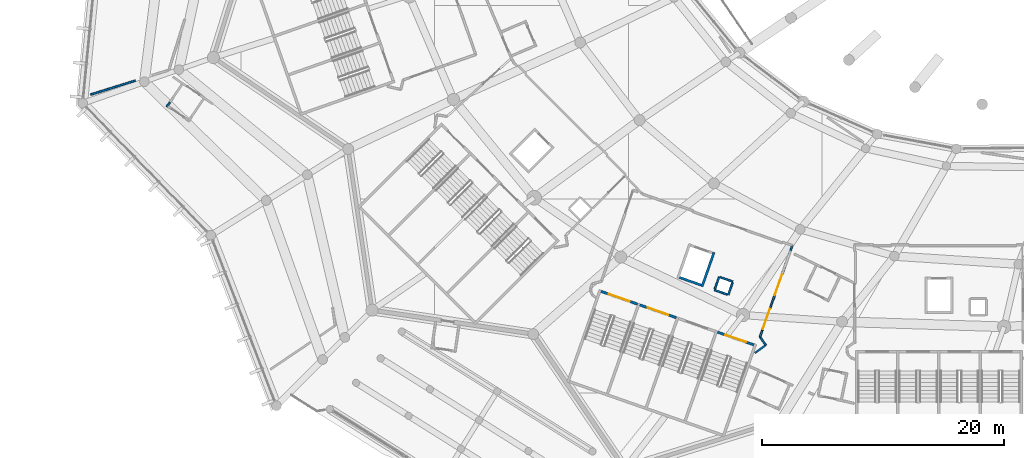
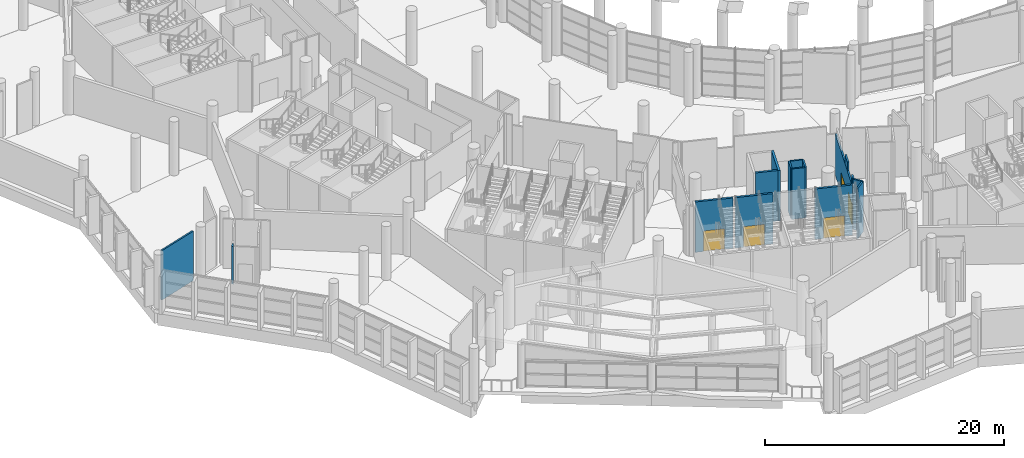
# One storey, part 158 of 271: 16 walls, 5 doors, 5 openings.
"""IFC4 building model written with IfcOpenShell, lengths in metres."""

from ifc_helpers import new_model, si_unit, direction, frame, frame_2d, origin, place, context, subcontext, project, spatial, rectangle, extrude, material, layer, layer_set, type_object, element, fill, save


model = new_model("IFC4")

# Units and contexts
model_context = context("Model", 3, precision=1e-05, world=origin(), true_north=direction((0.0, 1.0)))
body_context = subcontext(model_context, "Body", "Model", "MODEL_VIEW")
ifc_project = project(units=[si_unit("LENGTHUNIT", "METRE"), si_unit("AREAUNIT", "SQUARE_METRE"), si_unit("VOLUMEUNIT", "CUBIC_METRE"), si_unit("PLANEANGLEUNIT", "RADIAN"), si_unit("MASSUNIT", "GRAM", prefix="KILO")], contexts=[model_context])

# Site, building, storey
site_placement = place(None, origin())
site = spatial("IfcSite", under=ifc_project, at=site_placement, CompositionType="ELEMENT")
building_placement = place(site_placement, origin())
building = spatial("IfcBuilding", under=site, at=building_placement, Name="Meseta Stadium", CompositionType="ELEMENT")
storey_placement = place(building_placement, frame((0.0, 0.0, 6.5)))
storey = spatial("IfcBuildingStorey", under=building, at=storey_placement, Name="L01", CompositionType="ELEMENT", Elevation=6.5)

# Wall, opening, door
ifc_material_1 = material(Name="Concrete C40/50", Category="concrete")
ifc_layer_1 = layer(ifc_material_1, 0.199951171875)
ifc_layer_set_1 = layer_set([ifc_layer_1], Name="Core shaft wall 200")
wall_type_1 = type_object("IfcWallType", Name="Core shaft wall 200", PredefinedType="SHEAR", material=ifc_layer_set_1)
wall_1_placement = place(storey_placement, frame((-66.26171875, -87.618896484375, 0.0), z_axis=(0.0, 0.0, 1.0), x_axis=(0.943878576031, -0.330292648585, 0.0)))
wall_1 = element("IfcWall", 1, at=wall_1_placement, inside=storey, type_object=wall_type_1, Name="Core 22 L01 stair A1 inner end wall", PredefinedType="SHEAR", context=body_context, shape_type="SweptSolid", body=[
    extrude(rectangle(XDim=3.199951171875, YDim=0.199951171875, at=frame_2d((1.60009765625, 0.0))), origin(), (0.0, 0.0, 1.0), 5.14990234375),
])
opening_1_placement = place(wall_1_placement, frame((0.699951171875, 0.0, 0.0)))
opening_1 = element("IfcOpeningElement", 2, at=opening_1_placement, cuts=wall_1, Name="Opening D301", PredefinedType="OPENING", context=body_context, shape_type="SweptSolid", body=[
    extrude(rectangle(XDim=1.800048828125, YDim=2.10009765625, at=frame_2d((0.89990234375, 1.050048828125))), frame((0.0, 0.10986328125, 0.0), z_axis=(0.0, -1.0, 0.0), x_axis=(1.0, 0.0, 0.0)), (0.0, 0.0, 1.0), 0.219970703125),
])
ifc_material_2 = material(Name="Steel", Category="steel")
door_type_1 = type_object("IfcDoorType", Name="Stair door 1800x2100", OperationType="DOUBLE_DOOR_SINGLE_SWING", PredefinedType="DOOR", material=ifc_material_2)
door_1_placement = place(opening_1_placement, origin())
door_1 = element("IfcDoor", 3, at=door_1_placement, inside=storey, type_object=door_type_1, Name="Stair A1 door 22 L01", OperationType="DOUBLE_DOOR_SINGLE_SWING", OverallHeight=2.10009765625, OverallWidth=1.800048828125, PredefinedType="DOOR", context=body_context, shape_type="SweptSolid", body=[
    extrude(rectangle(XDim=1.800048828125, YDim=2.10009765625, at=frame_2d((0.89990234375, 1.050048828125))), frame((0.0, 0.02490234375, 0.0), z_axis=(0.0, -1.0, 0.0), x_axis=(1.0, 0.0, 0.0)), (0.0, 0.0, 1.0), 0.050048828125),
])
fill(opening_1, door_1)

wall_2_placement = place(storey_placement, frame((-63.052490234375, -88.741943359375, 0.0), z_axis=(0.0, 0.0, 1.0), x_axis=(0.943878576031, -0.330292648585, 0.0)))
wall_2 = element("IfcWall", 4, at=wall_2_placement, inside=storey, type_object=wall_type_1, Name="Core 22 L01 stair A2 inner end wall", PredefinedType="SHEAR", context=body_context, shape_type="SweptSolid", body=[
    extrude(rectangle(XDim=3.199951171875, YDim=0.199951171875, at=frame_2d((1.60009765625, 0.0))), origin(), (0.0, 0.0, 1.0), 5.14990234375),
])
opening_2_placement = place(wall_2_placement, frame((0.699951171875, 0.0, 0.0)))
opening_2 = element("IfcOpeningElement", 5, at=opening_2_placement, cuts=wall_2, Name="Opening D302", PredefinedType="OPENING", context=body_context, shape_type="SweptSolid", body=[
    extrude(rectangle(XDim=1.800048828125, YDim=2.10009765625, at=frame_2d((0.89990234375, 1.050048828125))), frame((0.0, 0.10986328125, 0.0), z_axis=(0.0, -1.0, 0.0), x_axis=(1.0, 0.0, 0.0)), (0.0, 0.0, 1.0), 0.219970703125),
])
door_2_placement = place(opening_2_placement, origin())
door_2 = element("IfcDoor", 6, at=door_2_placement, inside=storey, type_object=door_type_1, Name="Stair A2 door 22 L01", OperationType="DOUBLE_DOOR_SINGLE_SWING", OverallHeight=2.10009765625, OverallWidth=1.800048828125, PredefinedType="DOOR", context=body_context, shape_type="SweptSolid", body=[
    extrude(rectangle(XDim=1.800048828125, YDim=2.10009765625, at=frame_2d((0.89990234375, 1.050048828125))), frame((0.0, 0.02490234375, 0.0), z_axis=(0.0, -1.0, 0.0), x_axis=(1.0, 0.0, 0.0)), (0.0, 0.0, 1.0), 0.050048828125),
])
fill(opening_2, door_2)

wall_3_placement = place(storey_placement, frame((-56.63427734375, -90.98779296875, 0.0), z_axis=(0.0, 0.0, 1.0), x_axis=(0.943886898693, -0.330268863922, 0.0)))
wall_3 = element("IfcWall", 7, at=wall_3_placement, inside=storey, type_object=wall_type_1, Name="Core 22 L01 stair B2 inner end wall", PredefinedType="SHEAR", context=body_context, shape_type="SweptSolid", body=[
    extrude(rectangle(XDim=3.2001953125, YDim=0.199951171875, at=frame_2d((1.60009765625, 0.0))), origin(), (0.0, 0.0, 1.0), 5.14990234375),
])
opening_3_placement = place(wall_3_placement, frame((0.699951171875, 0.0, 0.0)))
opening_3 = element("IfcOpeningElement", 8, at=opening_3_placement, cuts=wall_3, Name="Opening D304", PredefinedType="OPENING", context=body_context, shape_type="SweptSolid", body=[
    extrude(rectangle(XDim=1.800048828125, YDim=2.10009765625, at=frame_2d((0.89990234375, 1.050048828125))), frame((0.0, 0.10986328125, 0.0), z_axis=(0.0, -1.0, 0.0), x_axis=(1.0, 0.0, 0.0)), (0.0, 0.0, 1.0), 0.219970703125),
])
door_3_placement = place(opening_3_placement, origin())
door_3 = element("IfcDoor", 9, at=door_3_placement, inside=storey, type_object=door_type_1, Name="Stair B2 door 22 L01", OperationType="DOUBLE_DOOR_SINGLE_SWING", OverallHeight=2.10009765625, OverallWidth=1.800048828125, PredefinedType="DOOR", context=body_context, shape_type="SweptSolid", body=[
    extrude(rectangle(XDim=1.800048828125, YDim=2.10009765625, at=frame_2d((0.89990234375, 1.050048828125))), frame((0.0, 0.02490234375, 0.0), z_axis=(0.0, -1.0, 0.0), x_axis=(1.0, 0.0, 0.0)), (0.0, 0.0, 1.0), 0.050048828125),
])
fill(opening_3, door_3)

# Walls
wall_4_placement = place(storey_placement, frame((-57.9140625, -87.227294921875, 0.0), z_axis=(0.0, 0.0, 1.0), x_axis=(0.330328674497, 0.943865968666, 0.0)))
element("IfcWall", 10, at=wall_4_placement, inside=storey, type_object=wall_type_1, Name="Core 22 L01 lift shaft wall right", PredefinedType="SHEAR", context=body_context, shape_type="SweptSolid", body=[
    extrude(rectangle(XDim=3.0, YDim=0.199951171875, at=frame_2d((1.5, 0.0))), origin(), (0.0, 0.0, 1.0), 5.14990234375),
])
wall_5_placement = place(storey_placement, frame((-59.768798828125, -86.472412109375, 0.0), z_axis=(0.0, 0.0, 1.0), x_axis=(0.943862362559, -0.330338978239, 0.0)))
element("IfcWall", 11, at=wall_5_placement, inside=storey, type_object=wall_type_1, Name="Core 22 L01 lift shaft back wall", PredefinedType="SHEAR", context=body_context, shape_type="SweptSolid", body=[
    extrude(rectangle(XDim=1.900146484375, YDim=0.199951171875, at=frame_2d((0.9501953125, 0.0))), origin(), (0.0, 0.0, 1.0), 5.14990234375),
])
ifc_material_3 = material(Name="Masonry blockwork", Category="masonry")
ifc_layer_2 = layer(ifc_material_3, 0.14990234375)
ifc_layer_set_2 = layer_set([ifc_layer_2], Name="Partition 150")
wall_type_2 = type_object("IfcWallType", Name="Partition 150", PredefinedType="PARTITIONING", material=ifc_layer_set_2)
wall_6_placement = place(storey_placement, frame((-104.73828125, -70.2021484375, 0.0), z_axis=(0.0, 0.0, 1.0), x_axis=(-0.954198313531, -0.299174829247, 0.0)))
element("IfcWall", 12, at=wall_6_placement, inside=storey, type_object=wall_type_2, Name="Partition L01 L01-ring18-0", PredefinedType="PARTITIONING", context=body_context, shape_type="SweptSolid", body=[
    extrude(rectangle(XDim=3.876953125, YDim=0.14990234375, at=frame_2d((1.9384765625, 0.0))), origin(), (0.0, 0.0, 1.0), 5.050048828125),
])
wall_7_placement = place(storey_placement, frame((-56.87451171875, -87.51171875, 0.0), z_axis=(0.0, 0.0, 1.0), x_axis=(0.943868506598, -0.330321422636, 0.0)))
element("IfcWall", 13, at=wall_7_placement, inside=storey, type_object=wall_type_2, Name="Pressurisation shaft wall L01 core 22", PredefinedType="PARTITIONING", context=body_context, shape_type="SweptSolid", body=[
    extrude(rectangle(XDim=1.125, YDim=0.14990234375, at=frame_2d((0.5625, 0.0))), origin(), (0.0, 0.0, 1.0), 5.14990234375),
])
wall_8_placement = place(storey_placement, frame((-55.741943359375, -87.907958984375, 0.0), z_axis=(0.0, 0.0, 1.0), x_axis=(0.330229022821, 0.94390083827, 0.0)))
element("IfcWall", 14, at=wall_8_placement, inside=storey, type_object=wall_type_2, Name="Pressurisation shaft wall L01 core 22", PredefinedType="PARTITIONING", context=body_context, shape_type="SweptSolid", body=[
    extrude(rectangle(XDim=1.074951171875, YDim=0.14990234375, at=frame_2d((0.53759765625, 0.0))), origin(), (0.0, 0.0, 1.0), 5.14990234375),
])
wall_9_placement = place(storey_placement, frame((-55.362060546875, -86.822509765625, 0.0), z_axis=(0.0, 0.0, 1.0), x_axis=(-0.94389218008, 0.330253769674, 0.0)))
element("IfcWall", 15, at=wall_9_placement, inside=storey, type_object=wall_type_2, Name="Pressurisation shaft wall L01 core 22", PredefinedType="PARTITIONING", context=body_context, shape_type="SweptSolid", body=[
    extrude(rectangle(XDim=1.125244140625, YDim=0.14990234375, at=frame_2d((0.5625, 0.0))), origin(), (0.0, 0.0, 1.0), 5.14990234375),
])
wall_10_placement = place(storey_placement, frame((-56.49462890625, -86.42626953125, 0.0), z_axis=(0.0, 0.0, 1.0), x_axis=(-0.330431350225, -0.943830028548, 0.0)))
element("IfcWall", 16, at=wall_10_placement, inside=storey, type_object=wall_type_2, Name="Pressurisation shaft wall L01 core 22", PredefinedType="PARTITIONING", context=body_context, shape_type="SweptSolid", body=[
    extrude(rectangle(XDim=1.074951171875, YDim=0.14990234375, at=frame_2d((0.53759765625, 0.0))), origin(), (0.0, 0.0, 1.0), 5.14990234375),
])
wall_11_placement = place(storey_placement, frame((-53.544921875, -92.725341796875, 0.0), z_axis=(0.0, 0.0, 1.0), x_axis=(0.803518845317, 0.595279316977, 0.0)))
element("IfcWall", 17, at=wall_11_placement, inside=storey, type_object=wall_type_2, Name="Stair vestibule wall L01 core 22", PredefinedType="PARTITIONING", context=body_context, shape_type="SweptSolid", body=[
    extrude(rectangle(XDim=1.1279296875, YDim=0.14990234375, at=frame_2d((0.56396484375, 0.0))), origin(), (0.0, 0.0, 1.0), 5.14990234375),
])
wall_12_placement = place(storey_placement, frame((-52.638671875, -92.053955078125, 0.0), z_axis=(0.0, 0.0, 1.0), x_axis=(-0.58171150375, 0.813395184646, 0.0)))
element("IfcWall", 18, at=wall_12_placement, inside=storey, type_object=wall_type_2, Name="Stair vestibule wall L01 core 22", PredefinedType="PARTITIONING", context=body_context, shape_type="SweptSolid", body=[
    extrude(rectangle(XDim=0.829345703125, YDim=0.14990234375, at=frame_2d((0.41455078125, 0.0))), origin(), (0.0, 0.0, 1.0), 5.14990234375),
])

# Wall, openings, doors
wall_13_placement = place(storey_placement, frame((-53.12109375, -91.37939453125, 0.0), z_axis=(0.0, 0.0, 1.0), x_axis=(0.333800317621, 0.942643807573, 0.0)))
wall_13 = element("IfcWall", 19, at=wall_13_placement, inside=storey, type_object=wall_type_2, Name="Stair vestibule wall L01 core 22", PredefinedType="PARTITIONING", context=body_context, shape_type="SweptSolid", body=[
    extrude(rectangle(XDim=8.010986328125, YDim=0.14990234375, at=frame_2d((4.00537109375, 0.0))), origin(), (0.0, 0.0, 1.0), 4.25),
])
opening_4_placement = place(wall_13_placement, frame((3.64990234375, 0.0, 0.0)))
opening_4 = element("IfcOpeningElement", 20, at=opening_4_placement, cuts=wall_13, Name="Opening D799", PredefinedType="OPENING", context=body_context, shape_type="SweptSolid", body=[
    extrude(rectangle(XDim=1.800048828125, YDim=2.10009765625, at=frame_2d((0.89990234375, 1.050048828125))), frame((0.0, 0.0849609375, 0.0), z_axis=(0.0, -1.0, 0.0), x_axis=(1.0, 0.0, 0.0)), (0.0, 0.0, 1.0), 0.169921875),
])
opening_5_placement = place(wall_13_placement, frame((0.64990234375, 0.0, 0.0)))
opening_5 = element("IfcOpeningElement", 21, at=opening_5_placement, cuts=wall_13, Name="Opening D801", PredefinedType="OPENING", context=body_context, shape_type="SweptSolid", body=[
    extrude(rectangle(XDim=1.800048828125, YDim=2.10009765625, at=frame_2d((0.89990234375, 1.050048828125))), frame((0.0, 0.0849609375, 0.0), z_axis=(0.0, -1.0, 0.0), x_axis=(1.0, 0.0, 0.0)), (0.0, 0.0, 1.0), 0.169921875),
])
ifc_material_4 = material(Name="Steel", Category="steel")
door_type_2 = type_object("IfcDoorType", Name="Fire double door 1800x2100 EI2 60", OperationType="DOUBLE_DOOR_SINGLE_SWING", PredefinedType="DOOR", material=ifc_material_4)
door_4_placement = place(opening_4_placement, origin())
door_4 = element("IfcDoor", 22, at=door_4_placement, inside=storey, type_object=door_type_2, Name="Stair vestibule door L01 core 22", OperationType="DOUBLE_DOOR_SINGLE_SWING", OverallHeight=2.10009765625, OverallWidth=1.800048828125, PredefinedType="DOOR", context=body_context, shape_type="SweptSolid", body=[
    extrude(rectangle(XDim=1.800048828125, YDim=2.10009765625, at=frame_2d((0.89990234375, 1.050048828125))), frame((0.0, 0.02490234375, 0.0), z_axis=(0.0, -1.0, 0.0), x_axis=(1.0, 0.0, 0.0)), (0.0, 0.0, 1.0), 0.050048828125),
])
fill(opening_4, door_4)
door_5_placement = place(opening_5_placement, origin())
door_5 = element("IfcDoor", 23, at=door_5_placement, inside=storey, type_object=door_type_2, Name="Stair vestibule door L01 core 22", OperationType="DOUBLE_DOOR_SINGLE_SWING", OverallHeight=2.10009765625, OverallWidth=1.800048828125, PredefinedType="DOOR", context=body_context, shape_type="SweptSolid", body=[
    extrude(rectangle(XDim=1.800048828125, YDim=2.10009765625, at=frame_2d((0.89990234375, 1.050048828125))), frame((0.0, 0.02490234375, 0.0), z_axis=(0.0, -1.0, 0.0), x_axis=(1.0, 0.0, 0.0)), (0.0, 0.0, 1.0), 0.050048828125),
])
fill(opening_5, door_5)

# Walls
wall_14_placement = place(storey_placement, frame((-53.12109375, -91.37939453125, 4.25), z_axis=(0.0, 0.0, 1.0), x_axis=(0.333756726613, 0.942659242484, 0.0)))
element("IfcWall", 24, at=wall_14_placement, inside=storey, type_object=wall_type_2, Name="Stair vestibule wall L01 core 22", PredefinedType="PARTITIONING", context=body_context, shape_type="SweptSolid", body=[
    extrude(rectangle(XDim=0.599853515625, YDim=0.14990234375, at=frame_2d((0.2998046875, 0.0))), origin(), (0.0, 0.0, 1.0), 0.89990234375),
])
wall_15_placement = place(storey_placement, frame((-52.28662109375, -89.02294921875, 4.25), z_axis=(0.0, 0.0, 1.0), x_axis=(0.333818381408, 0.942637410797, 0.0)))
element("IfcWall", 25, at=wall_15_placement, inside=storey, type_object=wall_type_2, Name="Stair vestibule wall L01 core 22", PredefinedType="PARTITIONING", context=body_context, shape_type="SweptSolid", body=[
    extrude(rectangle(XDim=1.099853515625, YDim=0.14990234375, at=frame_2d((0.5498046875, 0.0))), origin(), (0.0, 0.0, 1.0), 0.89990234375),
])
wall_16_placement = place(storey_placement, frame((-101.885498046875, -71.99169921875, 0.0), z_axis=(0.0, 0.0, 1.0), x_axis=(-0.561567757892, -0.827430754382, 0.0)))
element("IfcWall", 26, at=wall_16_placement, inside=storey, type_object=wall_type_2, Name="Partition L01 L01-ring19-0 vestibule", PredefinedType="PARTITIONING", context=body_context, shape_type="SweptSolid", body=[
    extrude(rectangle(XDim=0.449951171875, YDim=0.14990234375, at=frame_2d((0.22509765625, 0.0))), origin(), (0.0, 0.0, 1.0), 3.85009765625),
])

save(model, "model.ifc")
